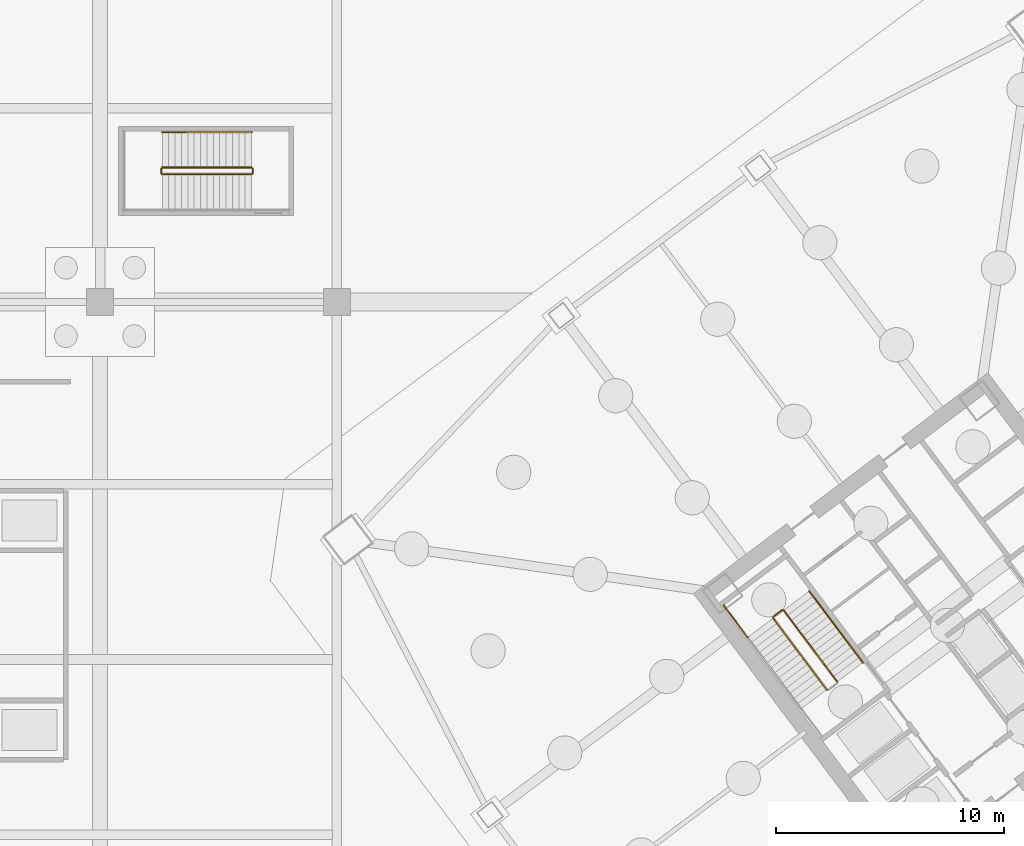
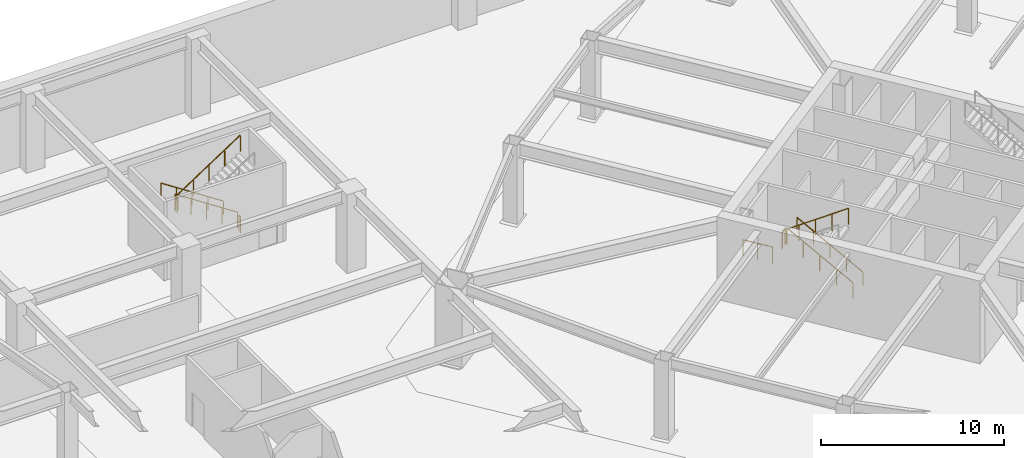
# One storey, part 17 of 19: 10 railings.
"""IFC4 building model written with IfcOpenShell, lengths in metres."""

import ifcopenshell
import ifcopenshell.guid

model = None  # the IFC model being written
_history = None  # IfcOwnerHistory: only IFC2X3 demands one
_inside = {}  # id of a spatial element -> (the spatial element, [elements in it])
_under = {}  # id of a project, library or spatial element -> (it, [spatial elements below it])
_declared = {}  # id of a project -> (the project, [libraries it declares])
_typed = {}  # id of a type object -> (the type object, [elements of that type])
_made_of = {}  # id of a material, layer set ... -> (it, [elements and type objects made of it])


def new_model(schema):
    """Start an empty IFC model of exactly this schema.

    Asked for "IFC4X3", IfcOpenShell would pick the latest addendum, in which some entities
    have other attributes; the version numbers below select the first issue.
    IFC2X3 requires an IfcOwnerHistory on every rooted entity: one is made here for all.
    """
    global model, _history
    if schema == "IFC4X3":
        model = ifcopenshell.file(schema_version=(4, 3, 0, 0))
    else:
        model = ifcopenshell.file(schema=schema)
    _inside.clear()
    _under.clear()
    _declared.clear()
    _typed.clear()
    _made_of.clear()
    _history = None
    if model.schema == "IFC2X3":
        org = make("IfcOrganization", Name="unknown")
        user = make(
            "IfcPersonAndOrganization",
            ThePerson=make("IfcPerson", FamilyName="unknown"),
            TheOrganization=org,
        )
        app = make(
            "IfcApplication",
            ApplicationDeveloper=org,
            Version="unknown",
            ApplicationFullName="unknown",
            ApplicationIdentifier="unknown",
        )
        _history = make(
            "IfcOwnerHistory",
            OwningUser=user,
            OwningApplication=app,
            ChangeAction="ADDED",
            CreationDate=0,
        )
    return model


def make(cls, **values):
    """One entity of the class cls with the attributes given. An attribute that is None is left unset."""
    return model.create_entity(
        cls, **{name: value for name, value in values.items() if value is not None}
    )


def rooted(cls, **values):
    """An entity with a GlobalId (a new one), such as an element, a storey or a relation."""
    return make(cls, GlobalId=ifcopenshell.guid.new(), OwnerHistory=_history, **values)


def si_unit(unit_type, name, prefix=None):
    """IfcSIUnit, for example si_unit("LENGTHUNIT", "METRE", prefix="MILLI")."""
    return make("IfcSIUnit", UnitType=unit_type, Prefix=prefix, Name=name)


def assignment(units):
    """IfcUnitAssignment: the units of a project."""
    return None if units is None else make("IfcUnitAssignment", Units=units)


def point(xyz):
    """IfcCartesianPoint."""
    return None if xyz is None else make("IfcCartesianPoint", Coordinates=xyz)


def direction(xyz):
    """IfcDirection."""
    return None if xyz is None else make("IfcDirection", DirectionRatios=xyz)


def frame(location, z_axis=None, x_axis=None):
    """IfcAxis2Placement3D, a coordinate frame: its origin and axes. An axis left out is left unset."""
    return make(
        "IfcAxis2Placement3D",
        Location=point(location),
        Axis=direction(z_axis),
        RefDirection=direction(x_axis),
    )


def frame_2d(location, x_axis=None):
    """IfcAxis2Placement2D, a coordinate frame in the plane: its origin and x axis."""
    return make(
        "IfcAxis2Placement2D", Location=point(location), RefDirection=direction(x_axis)
    )


def origin():
    """The frame at (0, 0, 0) with its axes left unset."""
    return frame((0.0, 0.0, 0.0))


def origin_2d():
    """The frame at (0, 0) in the plane with its x axis left unset."""
    return frame_2d((0.0, 0.0))


def place(relative_to, where):
    """IfcLocalPlacement: puts the frame where relative to a parent placement (None: the world)."""
    return make(
        "IfcLocalPlacement", PlacementRelTo=relative_to, RelativePlacement=where
    )


def context(
    kind, dimensions, precision=None, world=None, true_north=None, identifier=None
):
    """IfcGeometricRepresentationContext, for example the 3D "Model" context."""
    return make(
        "IfcGeometricRepresentationContext",
        ContextIdentifier=identifier,
        ContextType=kind,
        CoordinateSpaceDimension=dimensions,
        Precision=precision,
        WorldCoordinateSystem=world,
        TrueNorth=true_north,
    )


def subcontext(parent, identifier, kind, view, scale=None):
    """IfcGeometricRepresentationSubContext, for example "Body" below "Model"."""
    return make(
        "IfcGeometricRepresentationSubContext",
        ContextIdentifier=identifier,
        ContextType=kind,
        ParentContext=parent,
        TargetScale=scale,
        TargetView=view,
    )


def project(units=None, contexts=None):
    """IfcProject with its units and contexts."""
    return rooted(
        "IfcProject",
        Name="project",
        RepresentationContexts=contexts,
        UnitsInContext=assignment(units),
    )


def spatial(cls, under=None, at=None, **own):
    """A site, building, storey or space (cls), placed at a placement, below another one or the project."""
    s = rooted(cls, ObjectPlacement=at, **own)
    if under is not None:
        _under.setdefault(under.id(), (under, []))[1].append(s)
    return s


def profile(cls, at=None, kind="AREA", **sizes):
    """A parametric profile (cls). Its sizes go by their IFC names, for example OverallWidth=200.0."""
    return make(cls, ProfileType=kind, Position=at, **sizes)


def rectangle(**sizes):
    """IfcRectangleProfileDef."""
    return profile("IfcRectangleProfileDef", **sizes)


def extrude(swept, where, along, depth):
    """IfcExtrudedAreaSolid: the profile swept, set in the frame where, extruded along a direction by depth."""
    return make(
        "IfcExtrudedAreaSolid",
        SweptArea=swept,
        Position=where,
        ExtrudedDirection=direction(along),
        Depth=depth,
    )


def shape(context_of_items, identifier, shape_type, items):
    """IfcShapeRepresentation: the items that make up one representation, for example the "Body"."""
    return make(
        "IfcShapeRepresentation",
        ContextOfItems=context_of_items,
        RepresentationIdentifier=identifier,
        RepresentationType=shape_type,
        Items=items,
    )


def material(Name=None, Category=None):
    """IfcMaterial."""
    return make("IfcMaterial", Name=Name, Category=Category)


def made_of(thing, what):
    """Note that an element or type object is made of a material, layer set ...; save() writes the relation."""
    if what is not None:
        _made_of.setdefault(what.id(), (what, []))[1].append(thing)
    return thing


def type_object(cls, material=None, **own):
    """A type object (cls), such as IfcWallType, which elements share."""
    return made_of(rooted(cls, **own), material)


def element(
    cls,
    number,
    at=None,
    inside=None,
    cuts=None,
    type_object=None,
    material=None,
    context=None,
    identifier="Body",
    shape_type=None,
    held_by="IfcProductDefinitionShape",
    body=None,
    shapes=None,
    **own,
):
    """One element of the class cls, such as IfcWall. Its Tag is "e" and its number.

    at: its placement. inside: the storey or other place that contains it. cuts: it is an
    opening in that element (IfcRelVoidsElement). A single representation is given by context,
    identifier, shape_type and body (its items); several are given by shapes. held_by: the class
    of the entity that holds the representations. save() writes the other relations.
    """
    e = rooted(cls, Tag="e%d" % number, ObjectPlacement=at, **own)
    if body is not None:
        shapes = [shape(context, identifier, shape_type, body)]
    if shapes is not None:
        e.Representation = make(held_by, Representations=shapes)
    if inside is not None:
        _inside.setdefault(inside.id(), (inside, []))[1].append(e)
    if cuts is not None:
        rooted(
            "IfcRelVoidsElement", RelatingBuildingElement=cuts, RelatedOpeningElement=e
        )
    if type_object is not None:
        _typed.setdefault(type_object.id(), (type_object, []))[1].append(e)
    return made_of(e, material)


def aggregate(whole, parts):
    """IfcRelAggregates: a whole, such as a stair, and the parts it consists of."""
    return rooted("IfcRelAggregates", RelatingObject=whole, RelatedObjects=parts)


def save(model, path):
    """Write the relations noted so far, then the file.

    IfcRelAggregates (storeys below a building ...), IfcRelContainedInSpatialStructure (elements
    in a storey), IfcRelDefinesByType, IfcRelAssociatesMaterial and IfcRelDeclares: one each for
    every whole, place, type object, material and project.
    """
    for whole, parts in _under.values():
        aggregate(whole, parts)
    for where, things in _inside.values():
        rooted(
            "IfcRelContainedInSpatialStructure",
            RelatedElements=things,
            RelatingStructure=where,
        )
    for kind, things in _typed.values():
        rooted("IfcRelDefinesByType", RelatedObjects=things, RelatingType=kind)
    for what, things in _made_of.values():
        rooted("IfcRelAssociatesMaterial", RelatedObjects=things, RelatingMaterial=what)
    for by, libraries in _declared.values():
        rooted("IfcRelDeclares", RelatingContext=by, RelatedDefinitions=libraries)
    model.write(path)


model = new_model("IFC4")

# Units and contexts
model_context = context("Model", 3, precision=1e-05, world=origin(), true_north=direction((0.0, 1.0)))
body_context = subcontext(model_context, "Body", "Model", "MODEL_VIEW")
ifc_project = project(units=[si_unit("LENGTHUNIT", "METRE"), si_unit("AREAUNIT", "SQUARE_METRE"), si_unit("VOLUMEUNIT", "CUBIC_METRE"), si_unit("PLANEANGLEUNIT", "RADIAN"), si_unit("MASSUNIT", "GRAM", prefix="KILO")], contexts=[model_context])

# Site, building, storey
site_placement = place(None, origin())
site = spatial("IfcSite", under=ifc_project, at=site_placement, CompositionType="ELEMENT")
building_placement = place(site_placement, origin())
building = spatial("IfcBuilding", under=site, at=building_placement, Name="Tashvorn Skyway Center", CompositionType="ELEMENT")
storey_placement = place(building_placement, frame((0.0, 0.0, -11.0)))
storey = spatial("IfcBuildingStorey", under=building, at=storey_placement, Name="B2", CompositionType="ELEMENT", Elevation=-11.0)

# Railings
ifc_material_1 = material(Name="Brushed stainless steel 316", Category="steel")
railing_type_1 = type_object("IfcRailingType", Name="RAIL-HAND-920", PredefinedType="HANDRAIL", material=ifc_material_1)
railing_1_placement = place(storey_placement, frame((110.2880859375, 30.365966796875, 0.183349609375)))
element("IfcRailing", 1, at=railing_1_placement, inside=storey, type_object=railing_type_1, Name="B2 ST-T2-1 stair handrail 1", PredefinedType="HANDRAIL", context=body_context, shape_type="SweptSolid", body=[
    extrude(rectangle(XDim=0.048095703125, YDim=0.048095703125, at=origin_2d()), frame((0.0, 0.0, 0.8759765625), z_axis=(-0.501981159624, 0.669290844444, 0.54778159966), x_axis=(-0.799992526283, -0.600009964827, 0.0)), (0.0, 0.0, 1.0), 4.685546875),
    extrude(rectangle(XDim=0.0419921875, YDim=0.0419921875, at=origin_2d()), origin(), (0.0, 0.0, 1.0), 0.851806640625),
    extrude(rectangle(XDim=0.0419921875, YDim=0.0419921875, at=origin_2d()), frame((-0.587890625, 0.783935546875, 0.6416015625)), (0.0, 0.0, 1.0), 0.851806640625),
    extrude(rectangle(XDim=0.0419921875, YDim=0.0419921875, at=origin_2d()), frame((-1.176025390625, 1.56787109375, 1.283203125)), (0.0, 0.0, 1.0), 0.851806640625),
    extrude(rectangle(XDim=0.0419921875, YDim=0.0419921875, at=origin_2d()), frame((-1.76416015625, 2.35205078125, 1.925048828125)), (0.0, 0.0, 1.0), 0.851806640625),
    extrude(rectangle(XDim=0.0419921875, YDim=0.0419921875, at=origin_2d()), frame((-2.35205078125, 3.135986328125, 2.566650390625)), (0.0, 0.0, 1.0), 0.851806640625),
])
railing_2_placement = place(storey_placement, frame((83.449951171875, 53.64990234375, 0.183349609375)))
element("IfcRailing", 2, at=railing_2_placement, inside=storey, type_object=railing_type_1, Name="B2 ST-POD-2 stair handrail 1", PredefinedType="HANDRAIL", context=body_context, shape_type="SweptSolid", body=[
    extrude(rectangle(XDim=0.048095703125, YDim=0.048095703125, at=origin_2d()), frame((0.0, 0.0, 0.8759765625), z_axis=(-0.836615117243, 0.0, 0.547791151444), x_axis=(0.0, -1.0, 0.0)), (0.0, 0.0, 1.0), 4.685546875),
    extrude(rectangle(XDim=0.0419921875, YDim=0.0419921875, at=origin_2d()), origin(), (0.0, 0.0, 1.0), 0.851806640625),
    extrude(rectangle(XDim=0.0419921875, YDim=0.0419921875, at=origin_2d()), frame((-0.97998046875, 0.0, 0.6416015625)), (0.0, 0.0, 1.0), 0.851806640625),
    extrude(rectangle(XDim=0.0419921875, YDim=0.0419921875, at=origin_2d()), frame((-1.9599609375, 0.0, 1.283203125)), (0.0, 0.0, 1.0), 0.851806640625),
    extrude(rectangle(XDim=0.0419921875, YDim=0.0419921875, at=origin_2d()), frame((-2.93994140625, 0.0, 1.925048828125)), (0.0, 0.0, 1.0), 0.851806640625),
    extrude(rectangle(XDim=0.0419921875, YDim=0.0419921875, at=origin_2d()), frame((-3.919921875, 0.0, 2.566650390625)), (0.0, 0.0, 1.0), 0.851806640625),
])
ifc_material_2 = material(Name="Painted galvanized steel S355", Category="steel")
railing_type_2 = type_object("IfcRailingType", Name="RAIL-STGUARD-1100", PredefinedType="GUARDRAIL", material=ifc_material_2)
railing_3_placement = place(storey_placement, frame((109.16796875, 29.52587890625, 0.183349609375)))
element("IfcRailing", 3, at=railing_3_placement, inside=storey, type_object=railing_type_2, Name="B2 ST-T2-1 stair guard 1", PredefinedType="GUARDRAIL", context=body_context, shape_type="SweptSolid", body=[
    extrude(rectangle(XDim=0.048095703125, YDim=0.048095703125, at=origin_2d()), frame((0.0, 0.0, 1.076171875), z_axis=(-0.501963654013, 0.669319607583, 0.547762496849), x_axis=(-0.800014946318, -0.599980071059, 0.0)), (0.0, 0.0, 1.0), 4.685791015625),
    extrude(rectangle(XDim=0.0419921875, YDim=0.0419921875, at=origin_2d()), origin(), (0.0, 0.0, 1.0), 1.052001953125),
    extrude(rectangle(XDim=0.0419921875, YDim=0.0419921875, at=origin_2d()), frame((-0.587890625, 0.7841796875, 0.6416015625)), (0.0, 0.0, 1.0), 1.052001953125),
    extrude(rectangle(XDim=0.0419921875, YDim=0.0419921875, at=origin_2d()), frame((-1.176025390625, 1.568115234375, 1.283203125)), (0.0, 0.0, 1.0), 1.052001953125),
    extrude(rectangle(XDim=0.0419921875, YDim=0.0419921875, at=origin_2d()), frame((-1.76416015625, 2.35205078125, 1.925048828125)), (0.0, 0.0, 1.0), 1.052001953125),
    extrude(rectangle(XDim=0.0419921875, YDim=0.0419921875, at=origin_2d()), frame((-2.35205078125, 3.13623046875, 2.566650390625)), (0.0, 0.0, 1.0), 1.052001953125),
])
railing_4_placement = place(storey_placement, frame((106.74609375, 32.672119140625, 2.75)))
element("IfcRailing", 4, at=railing_4_placement, inside=storey, type_object=railing_type_2, Name="B2 ST-T2-1 stair guard 2", PredefinedType="GUARDRAIL", context=body_context, shape_type="SweptSolid", body=[
    extrude(rectangle(XDim=0.048095703125, YDim=0.048095703125, at=origin_2d()), frame((0.0, 0.0, 1.076171875), z_axis=(-0.799938970639, -0.600081363861, 0.0), x_axis=(0.600081363861, -0.799938970639, 0.0)), (0.0, 0.0, 1.0), 0.47998046875),
    extrude(rectangle(XDim=0.0419921875, YDim=0.0419921875, at=origin_2d()), origin(), (0.0, 0.0, 1.0), 1.052001953125),
    extrude(rectangle(XDim=0.0419921875, YDim=0.0419921875, at=origin_2d()), frame((-0.384033203125, -0.2880859375, 0.0)), (0.0, 0.0, 1.0), 1.052001953125),
])
railing_5_placement = place(storey_placement, frame((105.23193359375, 31.47412109375, 2.75)))
element("IfcRailing", 5, at=railing_5_placement, inside=storey, type_object=railing_type_2, Name="B2 ST-T2-1 stair guard 3", PredefinedType="GUARDRAIL", context=body_context, shape_type="SweptSolid", body=[
    extrude(rectangle(XDim=0.048095703125, YDim=0.048095703125, at=origin_2d()), frame((0.0, 0.0, 1.076171875), z_axis=(-0.599977804058, 0.800016646475, 0.0), x_axis=(-0.800016646475, -0.599977804058, 0.0)), (0.0, 0.0, 1.0), 1.760009765625),
    extrude(rectangle(XDim=0.0419921875, YDim=0.0419921875, at=origin_2d()), origin(), (0.0, 0.0, 1.0), 1.052001953125),
    extrude(rectangle(XDim=0.0419921875, YDim=0.0419921875, at=origin_2d()), frame((-0.52783203125, 0.7041015625, 0.0)), (0.0, 0.0, 1.0), 1.052001953125),
    extrude(rectangle(XDim=0.0419921875, YDim=0.0419921875, at=origin_2d()), frame((-1.055908203125, 1.407958984375, 0.0)), (0.0, 0.0, 1.0), 1.052001953125),
])
railing_6_placement = place(storey_placement, frame((106.35205078125, 32.31396484375, 2.933349609375)))
element("IfcRailing", 6, at=railing_6_placement, inside=storey, type_object=railing_type_2, Name="B2 ST-T2-1 stair guard 4", PredefinedType="GUARDRAIL", context=body_context, shape_type="SweptSolid", body=[
    extrude(rectangle(XDim=0.048095703125, YDim=0.048095703125, at=origin_2d()), frame((0.0, 0.0, 1.076171875), z_axis=(0.501981159624, -0.669290844444, 0.54778159966), x_axis=(0.799992526283, 0.600009964827, 0.0)), (0.0, 0.0, 1.0), 4.685546875),
    extrude(rectangle(XDim=0.0419921875, YDim=0.0419921875, at=origin_2d()), origin(), (0.0, 0.0, 1.0), 1.052001953125),
    extrude(rectangle(XDim=0.0419921875, YDim=0.0419921875, at=origin_2d()), frame((0.587890625, -0.783935546875, 0.6416015625)), (0.0, 0.0, 1.0), 1.052001953125),
    extrude(rectangle(XDim=0.0419921875, YDim=0.0419921875, at=origin_2d()), frame((1.176025390625, -1.56787109375, 1.283203125)), (0.0, 0.0, 1.0), 1.052001953125),
    extrude(rectangle(XDim=0.0419921875, YDim=0.0419921875, at=origin_2d()), frame((1.76416015625, -2.35205078125, 1.925048828125)), (0.0, 0.0, 1.0), 1.052001953125),
    extrude(rectangle(XDim=0.0419921875, YDim=0.0419921875, at=origin_2d()), frame((2.35205078125, -3.135986328125, 2.566650390625)), (0.0, 0.0, 1.0), 1.052001953125),
])
railing_7_placement = place(storey_placement, frame((83.449951171875, 52.10009765625, 0.183349609375)))
element("IfcRailing", 7, at=railing_7_placement, inside=storey, type_object=railing_type_2, Name="B2 ST-POD-2 stair guard 1", PredefinedType="GUARDRAIL", context=body_context, shape_type="SweptSolid", body=[
    extrude(rectangle(XDim=0.048095703125, YDim=0.048095703125, at=origin_2d()), frame((0.0, 0.0, 1.076171875), z_axis=(-0.836615117243, 0.0, 0.547791151444), x_axis=(0.0, -1.0, 0.0)), (0.0, 0.0, 1.0), 4.685546875),
    extrude(rectangle(XDim=0.0419921875, YDim=0.0419921875, at=origin_2d()), origin(), (0.0, 0.0, 1.0), 1.052001953125),
    extrude(rectangle(XDim=0.0419921875, YDim=0.0419921875, at=origin_2d()), frame((-0.97998046875, 0.0, 0.6416015625)), (0.0, 0.0, 1.0), 1.052001953125),
    extrude(rectangle(XDim=0.0419921875, YDim=0.0419921875, at=origin_2d()), frame((-1.9599609375, 0.0, 1.283203125)), (0.0, 0.0, 1.0), 1.052001953125),
    extrude(rectangle(XDim=0.0419921875, YDim=0.0419921875, at=origin_2d()), frame((-2.93994140625, 0.0, 1.925048828125)), (0.0, 0.0, 1.0), 1.052001953125),
    extrude(rectangle(XDim=0.0419921875, YDim=0.0419921875, at=origin_2d()), frame((-3.919921875, 0.0, 2.566650390625)), (0.0, 0.0, 1.0), 1.052001953125),
])
railing_8_placement = place(storey_placement, frame((79.47998046875, 52.050048828125, 2.75)))
element("IfcRailing", 8, at=railing_8_placement, inside=storey, type_object=railing_type_2, Name="B2 ST-POD-2 stair guard 2", PredefinedType="GUARDRAIL", context=body_context, shape_type="SweptSolid", body=[
    extrude(rectangle(XDim=0.048095703125, YDim=0.048095703125, at=origin_2d()), frame((0.0, 0.0, 1.076171875), z_axis=(0.0, -1.0, 0.0), x_axis=(1.0, 0.0, 0.0)), (0.0, 0.0, 1.0), 0.199951171875),
    extrude(rectangle(XDim=0.0419921875, YDim=0.0419921875, at=origin_2d()), origin(), (0.0, 0.0, 1.0), 1.052001953125),
    extrude(rectangle(XDim=0.0419921875, YDim=0.0419921875, at=origin_2d()), frame((0.0, -0.199951171875, 0.0)), (0.0, 0.0, 1.0), 1.052001953125),
])
railing_9_placement = place(storey_placement, frame((79.530029296875, 51.800048828125, 2.933349609375)))
element("IfcRailing", 9, at=railing_9_placement, inside=storey, type_object=railing_type_2, Name="B2 ST-POD-2 stair guard 5", PredefinedType="GUARDRAIL", context=body_context, shape_type="SweptSolid", body=[
    extrude(rectangle(XDim=0.048095703125, YDim=0.048095703125, at=origin_2d()), frame((0.0, 0.0, 1.076171875), z_axis=(0.836615117243, 0.0, 0.547791151444), x_axis=(0.0, 1.0, 0.0)), (0.0, 0.0, 1.0), 4.685546875),
    extrude(rectangle(XDim=0.0419921875, YDim=0.0419921875, at=origin_2d()), origin(), (0.0, 0.0, 1.0), 1.052001953125),
    extrude(rectangle(XDim=0.0419921875, YDim=0.0419921875, at=origin_2d()), frame((0.97998046875, 0.0, 0.6416015625)), (0.0, 0.0, 1.0), 1.052001953125),
    extrude(rectangle(XDim=0.0419921875, YDim=0.0419921875, at=origin_2d()), frame((1.9599609375, 0.0, 1.283203125)), (0.0, 0.0, 1.0), 1.052001953125),
    extrude(rectangle(XDim=0.0419921875, YDim=0.0419921875, at=origin_2d()), frame((2.93994140625, 0.0, 1.925048828125)), (0.0, 0.0, 1.0), 1.052001953125),
    extrude(rectangle(XDim=0.0419921875, YDim=0.0419921875, at=origin_2d()), frame((3.919921875, 0.0, 2.566650390625)), (0.0, 0.0, 1.0), 1.052001953125),
])
railing_10_placement = place(storey_placement, frame((83.5, 52.050048828125, 0.0)))
element("IfcRailing", 10, at=railing_10_placement, inside=storey, type_object=railing_type_2, Name="B2 ST-POD-2 stair guard 6", PredefinedType="GUARDRAIL", context=body_context, shape_type="SweptSolid", body=[
    extrude(rectangle(XDim=0.048095703125, YDim=0.048095703125, at=origin_2d()), frame((0.0, 0.0, 1.076171875), z_axis=(0.0, -1.0, 0.0), x_axis=(1.0, 0.0, 0.0)), (0.0, 0.0, 1.0), 0.199951171875),
    extrude(rectangle(XDim=0.0419921875, YDim=0.0419921875, at=origin_2d()), origin(), (0.0, 0.0, 1.0), 1.052001953125),
    extrude(rectangle(XDim=0.0419921875, YDim=0.0419921875, at=origin_2d()), frame((0.0, -0.199951171875, 0.0)), (0.0, 0.0, 1.0), 1.052001953125),
])

save(model, "model.ifc")
